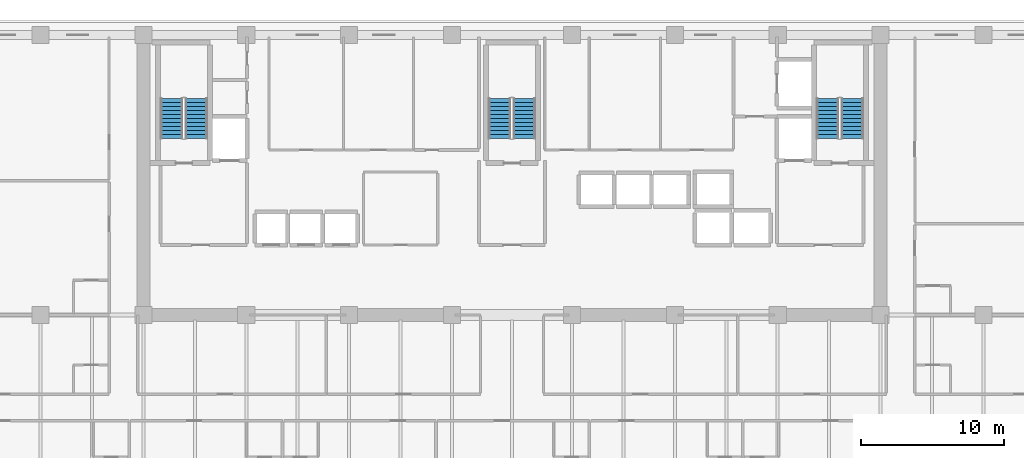
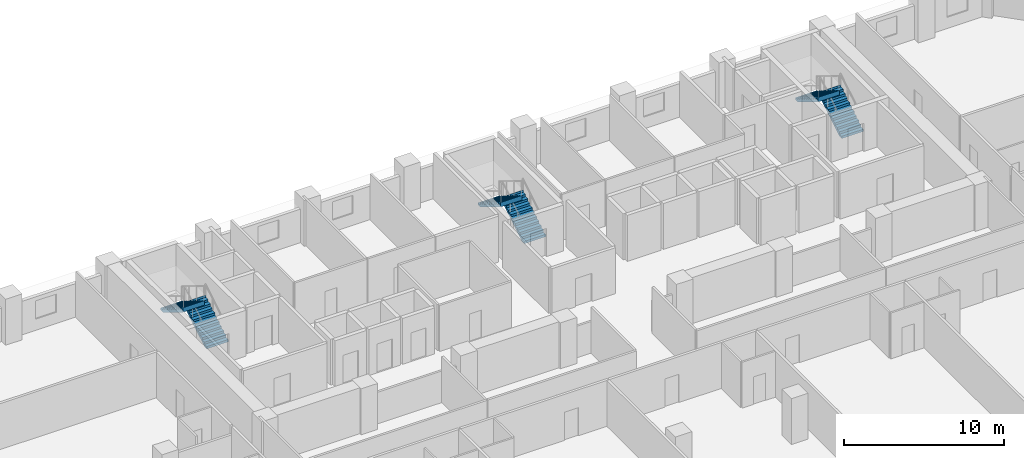
# One storey, part 11 of 15: 6 stair flights, 3 elements without a shape of their own.
"""IFC4 building model written with IfcOpenShell, lengths in metres."""

from ifc_helpers import new_model, si_unit, direction, frame, origin, place, context, subcontext, project, spatial, polyline, outline, extrude, material, type_object, element, aggregate, save


model = new_model("IFC4")

# Units and contexts
model_context = context("Model", 3, precision=1e-05, world=origin(), true_north=direction((0.0, 1.0)))
body_context = subcontext(model_context, "Body", "Model", "MODEL_VIEW")
ifc_project = project(units=[si_unit("LENGTHUNIT", "METRE"), si_unit("AREAUNIT", "SQUARE_METRE"), si_unit("VOLUMEUNIT", "CUBIC_METRE"), si_unit("PLANEANGLEUNIT", "RADIAN"), si_unit("MASSUNIT", "GRAM", prefix="KILO")], contexts=[model_context])

# Site, building, storey
site_placement = place(None, origin())
site = spatial("IfcSite", under=ifc_project, at=site_placement, CompositionType="ELEMENT")
building_placement = place(site_placement, origin())
building = spatial("IfcBuilding", under=site, at=building_placement, Name="Kaelvorn Grand Hotel", CompositionType="ELEMENT")
storey_placement = place(building_placement, frame((0.0, 0.0, 104.300048828125)))
storey = spatial("IfcBuildingStorey", under=building, at=storey_placement, Name="L24", CompositionType="ELEMENT", Elevation=104.300048828125)

# Stair, stair flights
ifc_material = material(Name="Concrete C40/50", Category="concrete")
stair_type = type_object("IfcStairType", Name="STR-DOG-1560-R06", PredefinedType="HALF_TURN_STAIR", material=ifc_material)
stair_1_placement = place(storey_placement, origin())
stair_1 = element("IfcStair", 1, at=stair_1_placement, inside=storey, type_object=stair_type, Name="L24 West Core Exit Stair ST1", PredefinedType="HALF_TURN_STAIR")
stair_flight_type = type_object("IfcStairFlightType", Name="FLG-DOG-1560-R06", PredefinedType="STRAIGHT", material=ifc_material)
stair_flight_1_placement = place(storey_placement, frame((19.89990234375, 41.760009765625, 0.0), z_axis=(0.0, 0.0, 1.0), x_axis=(0.0, 1.0, 0.0)))
stair_flight_1 = element("IfcStairFlight", 2, at=stair_flight_1_placement, type_object=stair_flight_type, Name="ST1 flight 1", NumberOfRisers=11, NumberOfTreads=10, PredefinedType="STRAIGHT", RiserHeight=0.170454545, TreadLength=0.28, context=body_context, shape_type="SweptSolid", body=[
    extrude(outline(polyline([(-0.0048828125, 0.0), (-0.0048828125, 0.0400390625), (0.0, 0.17041015625), (0.280029296875, 0.17041015625), (0.280029296875, 0.3408203125), (0.56005859375, 0.3408203125), (0.56005859375, 0.511474609375), (0.840087890625, 0.511474609375), (0.840087890625, 0.681884765625), (1.1201171875, 0.681884765625), (1.1201171875, 0.852294921875), (1.39990234375, 0.852294921875), (1.39990234375, 1.022705078125), (1.679931640625, 1.022705078125), (1.679931640625, 1.193115234375), (1.9599609375, 1.193115234375), (1.9599609375, 1.363525390625), (2.239990234375, 1.363525390625), (2.239990234375, 1.5341796875), (2.52001953125, 1.5341796875), (2.52001953125, 1.70458984375), (2.800048828125, 1.70458984375), (2.800048828125, 1.875), (2.804931640625, 1.875), (2.804931640625, 1.529052734375), (0.288330078125, 0.0), (-0.0048828125, 0.0)])), frame((0.0, 0.780029296875, 0.0), z_axis=(0.0, -1.0, 0.0), x_axis=(1.0, 0.0, 0.0)), (0.0, 0.0, 1.0), 1.56005859375),
])
stair_flight_2_placement = place(storey_placement, frame((18.179931640625, 44.56005859375, 1.875), z_axis=(0.0, 0.0, 1.0), x_axis=(0.0, -1.0, 0.0)))
stair_flight_2 = element("IfcStairFlight", 3, at=stair_flight_2_placement, type_object=stair_flight_type, Name="ST1 flight 2", NumberOfRisers=11, NumberOfTreads=10, PredefinedType="STRAIGHT", RiserHeight=0.170454545, TreadLength=0.28, context=body_context, shape_type="SweptSolid", body=[
    extrude(outline(polyline([(-0.0048828125, 0.0), (-0.0048828125, 0.0400390625), (0.0, 0.17041015625), (0.280029296875, 0.17041015625), (0.280029296875, 0.3408203125), (0.56005859375, 0.3408203125), (0.56005859375, 0.511474609375), (0.840087890625, 0.511474609375), (0.840087890625, 0.681884765625), (1.1201171875, 0.681884765625), (1.1201171875, 0.852294921875), (1.39990234375, 0.852294921875), (1.39990234375, 1.022705078125), (1.679931640625, 1.022705078125), (1.679931640625, 1.193115234375), (1.9599609375, 1.193115234375), (1.9599609375, 1.363525390625), (2.239990234375, 1.363525390625), (2.239990234375, 1.5341796875), (2.52001953125, 1.5341796875), (2.52001953125, 1.70458984375), (2.800048828125, 1.70458984375), (2.800048828125, 1.875), (2.804931640625, 1.875), (2.804931640625, 1.529052734375), (0.288330078125, 0.0), (-0.0048828125, 0.0)])), frame((0.0, 0.780029296875, 0.0), z_axis=(0.0, -1.0, 0.0), x_axis=(1.0, 0.0, 0.0)), (0.0, 0.0, 1.0), 1.56005859375),
])
aggregate(stair_1, [stair_flight_1, stair_flight_2])

stair_2_placement = place(storey_placement, origin())
stair_2 = element("IfcStair", 4, at=stair_2_placement, inside=storey, type_object=stair_type, Name="L24 Central Core Exit Stair ST2", PredefinedType="HALF_TURN_STAIR")
stair_flight_3_placement = place(storey_placement, frame((42.860107421875, 41.760009765625, 0.0), z_axis=(0.0, 0.0, 1.0), x_axis=(0.0, 1.0, 0.0)))
stair_flight_3 = element("IfcStairFlight", 5, at=stair_flight_3_placement, type_object=stair_flight_type, Name="ST2 flight 1", NumberOfRisers=11, NumberOfTreads=10, PredefinedType="STRAIGHT", RiserHeight=0.170454545, TreadLength=0.28, context=body_context, shape_type="SweptSolid", body=[
    extrude(outline(polyline([(-0.0048828125, 0.0), (-0.0048828125, 0.0400390625), (0.0, 0.17041015625), (0.280029296875, 0.17041015625), (0.280029296875, 0.3408203125), (0.56005859375, 0.3408203125), (0.56005859375, 0.511474609375), (0.840087890625, 0.511474609375), (0.840087890625, 0.681884765625), (1.1201171875, 0.681884765625), (1.1201171875, 0.852294921875), (1.39990234375, 0.852294921875), (1.39990234375, 1.022705078125), (1.679931640625, 1.022705078125), (1.679931640625, 1.193115234375), (1.9599609375, 1.193115234375), (1.9599609375, 1.363525390625), (2.239990234375, 1.363525390625), (2.239990234375, 1.5341796875), (2.52001953125, 1.5341796875), (2.52001953125, 1.70458984375), (2.800048828125, 1.70458984375), (2.800048828125, 1.875), (2.804931640625, 1.875), (2.804931640625, 1.529052734375), (0.288330078125, 0.0), (-0.0048828125, 0.0)])), frame((0.0, 0.780029296875, 0.0), z_axis=(0.0, -1.0, 0.0), x_axis=(1.0, 0.0, 0.0)), (0.0, 0.0, 1.0), 1.56005859375),
])
stair_flight_4_placement = place(storey_placement, frame((41.139892578125, 44.56005859375, 1.875), z_axis=(0.0, 0.0, 1.0), x_axis=(0.0, -1.0, 0.0)))
stair_flight_4 = element("IfcStairFlight", 6, at=stair_flight_4_placement, type_object=stair_flight_type, Name="ST2 flight 2", NumberOfRisers=11, NumberOfTreads=10, PredefinedType="STRAIGHT", RiserHeight=0.170454545, TreadLength=0.28, context=body_context, shape_type="SweptSolid", body=[
    extrude(outline(polyline([(-0.0048828125, 0.0), (-0.0048828125, 0.0400390625), (0.0, 0.17041015625), (0.280029296875, 0.17041015625), (0.280029296875, 0.3408203125), (0.56005859375, 0.3408203125), (0.56005859375, 0.511474609375), (0.840087890625, 0.511474609375), (0.840087890625, 0.681884765625), (1.1201171875, 0.681884765625), (1.1201171875, 0.852294921875), (1.39990234375, 0.852294921875), (1.39990234375, 1.022705078125), (1.679931640625, 1.022705078125), (1.679931640625, 1.193115234375), (1.9599609375, 1.193115234375), (1.9599609375, 1.363525390625), (2.239990234375, 1.363525390625), (2.239990234375, 1.5341796875), (2.52001953125, 1.5341796875), (2.52001953125, 1.70458984375), (2.800048828125, 1.70458984375), (2.800048828125, 1.875), (2.804931640625, 1.875), (2.804931640625, 1.529052734375), (0.288330078125, 0.0), (-0.0048828125, 0.0)])), frame((0.0, 0.780029296875, 0.0), z_axis=(0.0, -1.0, 0.0), x_axis=(1.0, 0.0, 0.0)), (0.0, 0.0, 1.0), 1.56005859375),
])
aggregate(stair_2, [stair_flight_3, stair_flight_4])

stair_3_placement = place(storey_placement, origin())
stair_3 = element("IfcStair", 7, at=stair_3_placement, inside=storey, type_object=stair_type, Name="L24 East Core Exit Stair ST3", PredefinedType="HALF_TURN_STAIR")
stair_flight_5_placement = place(storey_placement, frame((65.820068359375, 41.760009765625, 0.0), z_axis=(0.0, 0.0, 1.0), x_axis=(0.0, 1.0, 0.0)))
stair_flight_5 = element("IfcStairFlight", 8, at=stair_flight_5_placement, type_object=stair_flight_type, Name="ST3 flight 1", NumberOfRisers=11, NumberOfTreads=10, PredefinedType="STRAIGHT", RiserHeight=0.170454545, TreadLength=0.28, context=body_context, shape_type="SweptSolid", body=[
    extrude(outline(polyline([(-0.0048828125, 0.0), (-0.0048828125, 0.0400390625), (0.0, 0.17041015625), (0.280029296875, 0.17041015625), (0.280029296875, 0.3408203125), (0.56005859375, 0.3408203125), (0.56005859375, 0.511474609375), (0.840087890625, 0.511474609375), (0.840087890625, 0.681884765625), (1.1201171875, 0.681884765625), (1.1201171875, 0.852294921875), (1.39990234375, 0.852294921875), (1.39990234375, 1.022705078125), (1.679931640625, 1.022705078125), (1.679931640625, 1.193115234375), (1.9599609375, 1.193115234375), (1.9599609375, 1.363525390625), (2.239990234375, 1.363525390625), (2.239990234375, 1.5341796875), (2.52001953125, 1.5341796875), (2.52001953125, 1.70458984375), (2.800048828125, 1.70458984375), (2.800048828125, 1.875), (2.804931640625, 1.875), (2.804931640625, 1.529052734375), (0.288330078125, 0.0), (-0.0048828125, 0.0)])), frame((0.0, 0.780029296875, 0.0), z_axis=(0.0, -1.0, 0.0), x_axis=(1.0, 0.0, 0.0)), (0.0, 0.0, 1.0), 1.56005859375),
])
stair_flight_6_placement = place(storey_placement, frame((64.10009765625, 44.56005859375, 1.875), z_axis=(0.0, 0.0, 1.0), x_axis=(0.0, -1.0, 0.0)))
stair_flight_6 = element("IfcStairFlight", 9, at=stair_flight_6_placement, type_object=stair_flight_type, Name="ST3 flight 2", NumberOfRisers=11, NumberOfTreads=10, PredefinedType="STRAIGHT", RiserHeight=0.170454545, TreadLength=0.28, context=body_context, shape_type="SweptSolid", body=[
    extrude(outline(polyline([(-0.0048828125, 0.0), (-0.0048828125, 0.0400390625), (0.0, 0.17041015625), (0.280029296875, 0.17041015625), (0.280029296875, 0.3408203125), (0.56005859375, 0.3408203125), (0.56005859375, 0.511474609375), (0.840087890625, 0.511474609375), (0.840087890625, 0.681884765625), (1.1201171875, 0.681884765625), (1.1201171875, 0.852294921875), (1.39990234375, 0.852294921875), (1.39990234375, 1.022705078125), (1.679931640625, 1.022705078125), (1.679931640625, 1.193115234375), (1.9599609375, 1.193115234375), (1.9599609375, 1.363525390625), (2.239990234375, 1.363525390625), (2.239990234375, 1.5341796875), (2.52001953125, 1.5341796875), (2.52001953125, 1.70458984375), (2.800048828125, 1.70458984375), (2.800048828125, 1.875), (2.804931640625, 1.875), (2.804931640625, 1.529052734375), (0.288330078125, 0.0), (-0.0048828125, 0.0)])), frame((0.0, 0.780029296875, 0.0), z_axis=(0.0, -1.0, 0.0), x_axis=(1.0, 0.0, 0.0)), (0.0, 0.0, 1.0), 1.56005859375),
])
aggregate(stair_3, [stair_flight_5, stair_flight_6])

save(model, "model.ifc")
